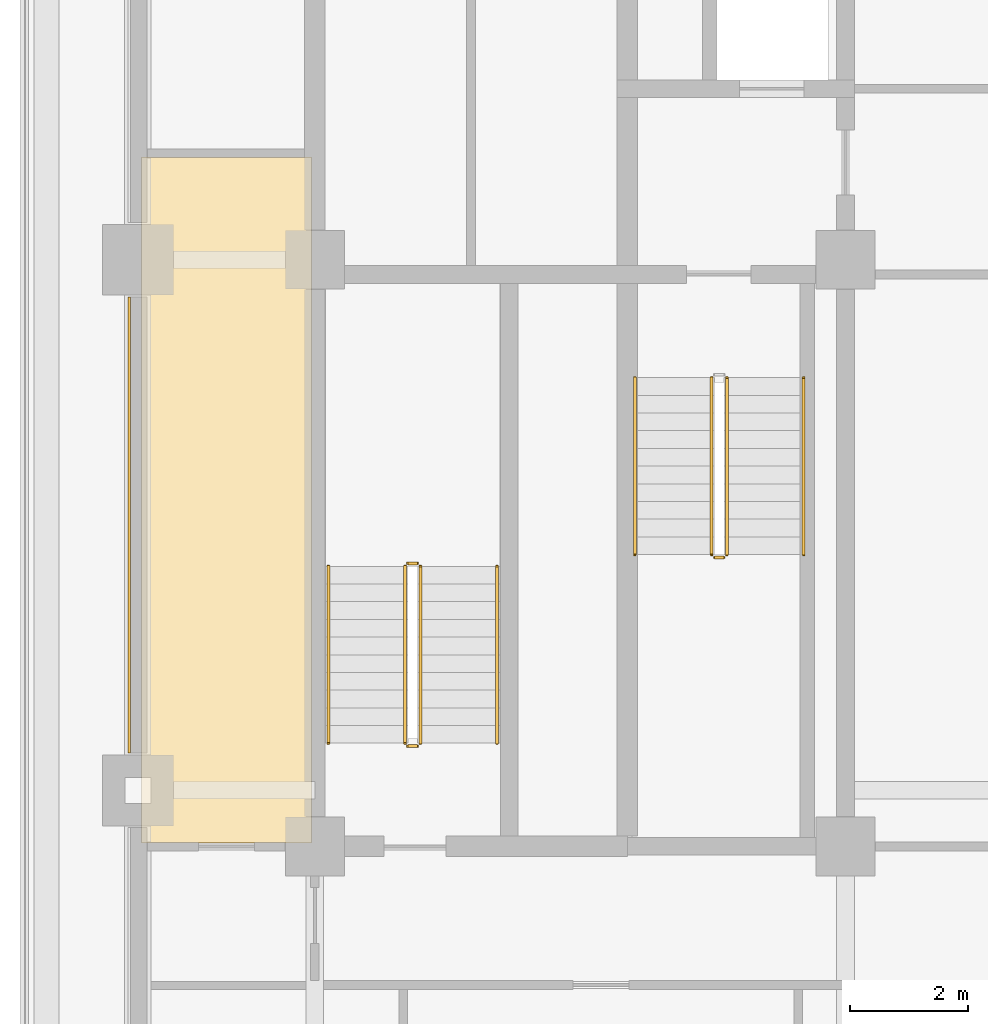
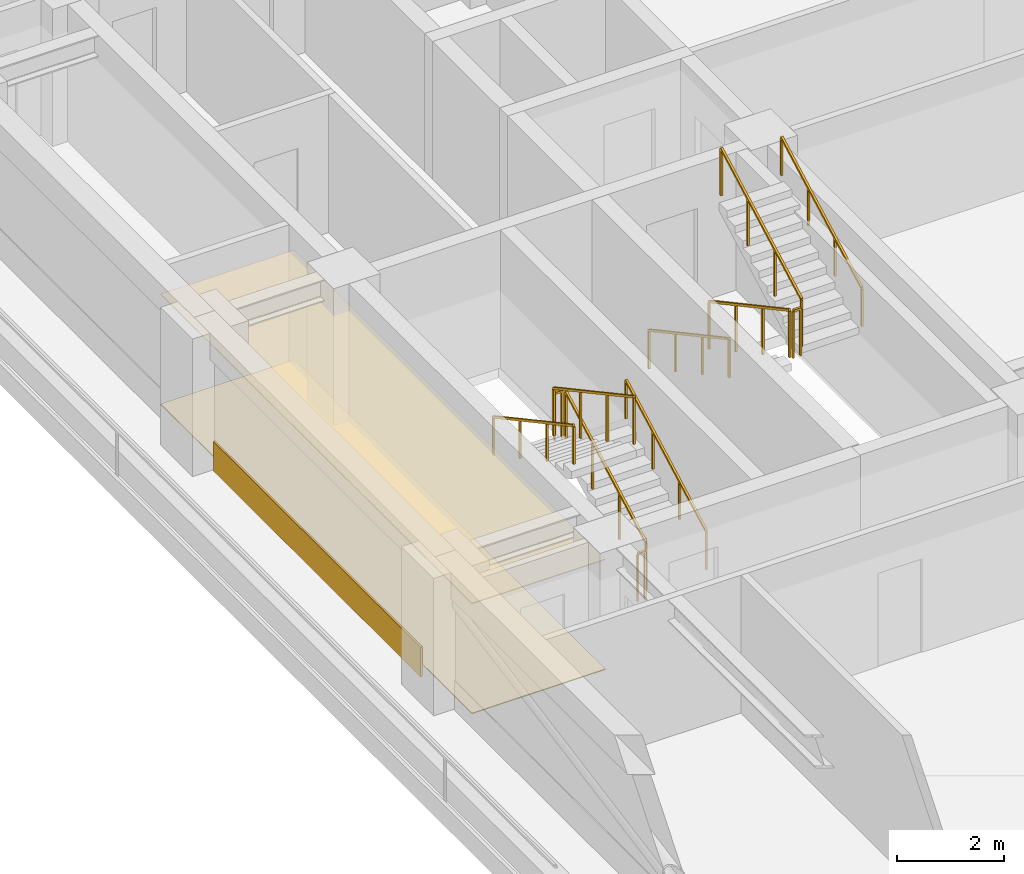
# One storey, part 8 of 13: 11 railings, 3 coverings.
"""IFC4 building model written with IfcOpenShell, lengths in metres."""

from ifc_helpers import new_model, si_unit, direction, frame, frame_2d, origin, origin_2d, place, context, subcontext, project, spatial, polyline, rectangle, outline, extrude, material, layer, layer_set, type_object, element, save


model = new_model("IFC4")

# Units and contexts
model_context = context("Model", 3, precision=1e-05, world=origin(), true_north=direction((0.0, 1.0)))
body_context = subcontext(model_context, "Body", "Model", "MODEL_VIEW")
ifc_project = project(units=[si_unit("LENGTHUNIT", "METRE"), si_unit("AREAUNIT", "SQUARE_METRE"), si_unit("VOLUMEUNIT", "CUBIC_METRE"), si_unit("PLANEANGLEUNIT", "RADIAN"), si_unit("MASSUNIT", "GRAM", prefix="KILO")], contexts=[model_context])

# Site, building, storey
site_placement = place(None, origin())
site = spatial("IfcSite", under=ifc_project, at=site_placement, CompositionType="ELEMENT")
building_placement = place(site_placement, origin())
building = spatial("IfcBuilding", under=site, at=building_placement, Name="Zulmaris Gate Convention Tower", CompositionType="ELEMENT")
storey_placement = place(building_placement, frame((0.0, 0.0, 112.780029296875)))
storey = spatial("IfcBuildingStorey", under=building, at=storey_placement, Name="L28", CompositionType="ELEMENT", Elevation=112.780029296875)

# Coverings
ifc_material_1 = material(Name="Precast concrete C40/50", Category="concrete")
ifc_layer_1 = layer(ifc_material_1, 0.0400390625, Name="Precast concrete C40/50")
ifc_layer_set_1 = layer_set([ifc_layer_1], Name="Precast concrete C40/50")
covering_type_1 = type_object("IfcCoveringType", Name="CLAD-SPANDREL-PRECAST", PredefinedType="CLADDING", material=ifc_layer_set_1)
covering_1_placement = place(storey_placement, frame((-23.14990234375, -0.6298828125, 0.0), z_axis=(0.0, 0.0, 1.0), x_axis=(0.0, -1.0, 0.0)))
element("IfcCovering", 1, at=covering_1_placement, inside=storey, type_object=covering_type_1, Name="CLD-L28-W-1_0", PredefinedType="CLADDING", context=body_context, shape_type="SweptSolid", body=[
    extrude(rectangle(XDim=7.740234375, YDim=0.0400390625, at=frame_2d((3.8701171875, 0.0))), origin(), (0.0, 0.0, 1.0), 0.679931640625),
])
ifc_material_2 = material(Name="Mineral Fibre Acoustic Ceiling Tile")
ifc_layer_2 = layer(ifc_material_2, 0.02001953125, Name="Mineral Fibre Acoustic Ceiling Tile")
ifc_layer_set_2 = layer_set([ifc_layer_2], Name="Mineral Fibre Acoustic Ceiling Tile")
covering_type_2 = type_object("IfcCoveringType", Name="CLG-ACOUSTIC-600", PredefinedType="CEILING", material=ifc_layer_set_2)
covering_2_placement = place(storey_placement, frame((0.0, 0.0, 2.5048828125)))
element("IfcCovering", 2, at=covering_2_placement, inside=storey, type_object=covering_type_2, Name="CLG-L28-R50", PredefinedType="CEILING", context=body_context, shape_type="SweptSolid", body=[
    extrude(outline(polyline([(-22.93994140625, -9.889892578125), (-20.06005859375, -9.889892578125), (-20.06005859375, 1.739990234375), (-22.93994140625, 1.739990234375), (-22.93994140625, -9.889892578125)])), origin(), (0.0, 0.0, 1.0), 0.02001953125),
])
ifc_material_3 = material(Name="Woven Acoustic Wool Carpet Tile")
ifc_layer_3 = layer(ifc_material_3, 0.02001953125, Name="Woven Acoustic Wool Carpet Tile")
ifc_layer_set_3 = layer_set([ifc_layer_3], Name="Woven Acoustic Wool Carpet Tile")
covering_type_3 = type_object("IfcCoveringType", Name="FLR-CARPET-12", PredefinedType="FLOORING", material=ifc_layer_set_3)
covering_3_placement = place(storey_placement, origin())
element("IfcCovering", 3, at=covering_3_placement, inside=storey, type_object=covering_type_3, Name="FLR-L28-R50", PredefinedType="FLOORING", context=body_context, shape_type="SweptSolid", body=[
    extrude(outline(polyline([(-22.93994140625, -9.889892578125), (-20.06005859375, -9.889892578125), (-20.06005859375, 1.739990234375), (-22.93994140625, 1.739990234375), (-22.93994140625, -9.889892578125)])), origin(), (0.0, 0.0, 1.0), 0.02001953125),
])

# Railings
ifc_material_4 = material(Name="Painted Galvanised Steel", Category="steel")
railing_type_1 = type_object("IfcRailingType", Name="RL-STG-1150", PredefinedType="GUARDRAIL", material=ifc_material_4)
railing_1_placement = place(storey_placement, frame((-13.27001953125, -2.0, 0.162353515625)))
element("IfcRailing", 4, at=railing_1_placement, inside=storey, type_object=railing_type_1, Name="L28 ST-1 stair guard 1", PredefinedType="GUARDRAIL", context=body_context, shape_type="SweptSolid", body=[
    extrude(rectangle(XDim=0.048095703125, YDim=0.048095703125, at=origin_2d()), frame((0.0, 0.0, 1.076171875), z_axis=(0.0, -0.879591569277, 0.475729619907), x_axis=(1.0, 0.0, 0.0)), (0.0, 0.0, 1.0), 3.41064453125),
    extrude(rectangle(XDim=0.0419921875, YDim=0.0419921875, at=origin_2d()), origin(), (0.0, 0.0, 1.0), 1.052001953125),
    extrude(rectangle(XDim=0.0419921875, YDim=0.0419921875, at=origin_2d()), frame((0.0, -1.0, 0.540771484375)), (0.0, 0.0, 1.0), 1.052001953125),
    extrude(rectangle(XDim=0.0419921875, YDim=0.0419921875, at=origin_2d()), frame((0.0, -2.0, 1.081787109375)), (0.0, 0.0, 1.0), 1.052001953125),
    extrude(rectangle(XDim=0.0419921875, YDim=0.0419921875, at=origin_2d()), frame((0.0, -3.0, 1.62255859375)), (0.0, 0.0, 1.0), 1.052001953125),
])
railing_2_placement = place(storey_placement, frame((-13.219970703125, -5.050048828125, 1.784912109375)))
element("IfcRailing", 5, at=railing_2_placement, inside=storey, type_object=railing_type_1, Name="L28 ST-1 stair guard 2", PredefinedType="GUARDRAIL", context=body_context, shape_type="SweptSolid", body=[
    extrude(rectangle(XDim=0.048095703125, YDim=0.048095703125, at=origin_2d()), frame((0.0, 0.0, 1.076171875), z_axis=(1.0, 0.0, 0.0), x_axis=(0.0, 1.0, 0.0)), (0.0, 0.0, 1.0), 0.159912109375),
    extrude(rectangle(XDim=0.0419921875, YDim=0.0419921875, at=origin_2d()), origin(), (0.0, 0.0, 1.0), 1.052001953125),
    extrude(rectangle(XDim=0.0419921875, YDim=0.0419921875, at=origin_2d()), frame((0.159912109375, 0.0, 0.0)), (0.0, 0.0, 1.0), 1.052001953125),
])
for number, where, name in (
    (6, (-13.010009765625, -5.0, 1.947265625), "L28 ST-1 stair guard 3"),
    (7, (-18.2099609375, -8.199951171875, 0.162353515625), "L28 ST-3 stair guard 1"),
):
    element("IfcRailing", number, at=place(storey_placement, frame(where)), inside=storey, type_object=railing_type_1, Name=name, PredefinedType="GUARDRAIL", context=body_context, shape_type="SweptSolid", body=[
        extrude(rectangle(XDim=0.048095703125, YDim=0.048095703125, at=origin_2d()), frame((0.0, 0.0, 1.076171875), z_axis=(0.0, 0.879591569277, 0.475729619907), x_axis=(-1.0, 0.0, 0.0)), (0.0, 0.0, 1.0), 3.41064453125),
        extrude(rectangle(XDim=0.0419921875, YDim=0.0419921875, at=origin_2d()), origin(), (0.0, 0.0, 1.0), 1.052001953125),
        extrude(rectangle(XDim=0.0419921875, YDim=0.0419921875, at=origin_2d()), frame((0.0, 1.0, 0.540771484375)), (0.0, 0.0, 1.0), 1.052001953125),
        extrude(rectangle(XDim=0.0419921875, YDim=0.0419921875, at=origin_2d()), frame((0.0, 2.0, 1.081787109375)), (0.0, 0.0, 1.0), 1.052001953125),
        extrude(rectangle(XDim=0.0419921875, YDim=0.0419921875, at=origin_2d()), frame((0.0, 3.0, 1.62255859375)), (0.0, 0.0, 1.0), 1.052001953125),
    ])
railing_3_placement = place(storey_placement, frame((-18.260009765625, -5.14990234375, 1.784912109375)))
element("IfcRailing", 8, at=railing_3_placement, inside=storey, type_object=railing_type_1, Name="L28 ST-3 stair guard 2", PredefinedType="GUARDRAIL", context=body_context, shape_type="SweptSolid", body=[
    extrude(rectangle(XDim=0.048095703125, YDim=0.048095703125, at=origin_2d()), frame((0.0, 0.0, 1.076171875), z_axis=(-1.0, 0.0, 0.0), x_axis=(0.0, -1.0, 0.0)), (0.0, 0.0, 1.0), 0.159912109375),
    extrude(rectangle(XDim=0.0419921875, YDim=0.0419921875, at=origin_2d()), origin(), (0.0, 0.0, 1.0), 1.052001953125),
    extrude(rectangle(XDim=0.0419921875, YDim=0.0419921875, at=origin_2d()), frame((-0.159912109375, 0.0, 0.0)), (0.0, 0.0, 1.0), 1.052001953125),
])
railing_4_placement = place(storey_placement, frame((-18.469970703125, -5.199951171875, 1.947265625)))
element("IfcRailing", 9, at=railing_4_placement, inside=storey, type_object=railing_type_1, Name="L28 ST-3 stair guard 3", PredefinedType="GUARDRAIL", context=body_context, shape_type="SweptSolid", body=[
    extrude(rectangle(XDim=0.048095703125, YDim=0.048095703125, at=origin_2d()), frame((0.0, 0.0, 1.076171875), z_axis=(0.0, -0.879591569277, 0.475729619907), x_axis=(1.0, 0.0, 0.0)), (0.0, 0.0, 1.0), 3.41064453125),
    extrude(rectangle(XDim=0.0419921875, YDim=0.0419921875, at=origin_2d()), origin(), (0.0, 0.0, 1.0), 1.052001953125),
    extrude(rectangle(XDim=0.0419921875, YDim=0.0419921875, at=origin_2d()), frame((0.0, -1.0, 0.540771484375)), (0.0, 0.0, 1.0), 1.052001953125),
    extrude(rectangle(XDim=0.0419921875, YDim=0.0419921875, at=origin_2d()), frame((0.0, -2.0, 1.081787109375)), (0.0, 0.0, 1.0), 1.052001953125),
    extrude(rectangle(XDim=0.0419921875, YDim=0.0419921875, at=origin_2d()), frame((0.0, -3.0, 1.62255859375)), (0.0, 0.0, 1.0), 1.052001953125),
])
railing_5_placement = place(storey_placement, frame((-18.260009765625, -8.25, 0.0)))
element("IfcRailing", 10, at=railing_5_placement, inside=storey, type_object=railing_type_1, Name="L28 ST-3 stair guard 4", PredefinedType="GUARDRAIL", context=body_context, shape_type="SweptSolid", body=[
    extrude(rectangle(XDim=0.048095703125, YDim=0.048095703125, at=origin_2d()), frame((0.0, 0.0, 1.076171875), z_axis=(-1.0, 0.0, 0.0), x_axis=(0.0, -1.0, 0.0)), (0.0, 0.0, 1.0), 0.159912109375),
    extrude(rectangle(XDim=0.0419921875, YDim=0.0419921875, at=origin_2d()), origin(), (0.0, 0.0, 1.0), 1.052001953125),
    extrude(rectangle(XDim=0.0419921875, YDim=0.0419921875, at=origin_2d()), frame((-0.159912109375, 0.0, 0.0)), (0.0, 0.0, 1.0), 1.052001953125),
])
ifc_material_5 = material(Name="Brushed Stainless Steel", Category="steel")
railing_type_2 = type_object("IfcRailingType", Name="RL-STH-900", PredefinedType="HANDRAIL", material=ifc_material_5)
railing_6_placement = place(storey_placement, frame((-14.570068359375, -2.0, 0.162353515625)))
element("IfcRailing", 11, at=railing_6_placement, inside=storey, type_object=railing_type_2, Name="L28 ST-1 stair handrail 1", PredefinedType="HANDRAIL", context=body_context, shape_type="SweptSolid", body=[
    extrude(rectangle(XDim=0.048095703125, YDim=0.048095703125, at=origin_2d()), frame((0.0, 0.0, 0.8759765625), z_axis=(0.0, -0.879591569277, 0.475729619907), x_axis=(1.0, 0.0, 0.0)), (0.0, 0.0, 1.0), 3.41064453125),
    extrude(rectangle(XDim=0.0419921875, YDim=0.0419921875, at=origin_2d()), origin(), (0.0, 0.0, 1.0), 0.851806640625),
    extrude(rectangle(XDim=0.0419921875, YDim=0.0419921875, at=origin_2d()), frame((0.0, -1.0, 0.540771484375)), (0.0, 0.0, 1.0), 0.851806640625),
    extrude(rectangle(XDim=0.0419921875, YDim=0.0419921875, at=origin_2d()), frame((0.0, -2.0, 1.081787109375)), (0.0, 0.0, 1.0), 0.851806640625),
    extrude(rectangle(XDim=0.0419921875, YDim=0.0419921875, at=origin_2d()), frame((0.0, -3.0, 1.62255859375)), (0.0, 0.0, 1.0), 0.851806640625),
])
for number, where, name in (
    (12, (-11.7099609375, -5.0, 1.947265625), "L28 ST-1 stair handrail 2"),
    (13, (-16.909912109375, -8.199951171875, 0.162353515625), "L28 ST-3 stair handrail 1"),
):
    element("IfcRailing", number, at=place(storey_placement, frame(where)), inside=storey, type_object=railing_type_2, Name=name, PredefinedType="HANDRAIL", context=body_context, shape_type="SweptSolid", body=[
        extrude(rectangle(XDim=0.048095703125, YDim=0.048095703125, at=origin_2d()), frame((0.0, 0.0, 0.8759765625), z_axis=(0.0, 0.879591569277, 0.475729619907), x_axis=(-1.0, 0.0, 0.0)), (0.0, 0.0, 1.0), 3.41064453125),
        extrude(rectangle(XDim=0.0419921875, YDim=0.0419921875, at=origin_2d()), origin(), (0.0, 0.0, 1.0), 0.851806640625),
        extrude(rectangle(XDim=0.0419921875, YDim=0.0419921875, at=origin_2d()), frame((0.0, 1.0, 0.540771484375)), (0.0, 0.0, 1.0), 0.851806640625),
        extrude(rectangle(XDim=0.0419921875, YDim=0.0419921875, at=origin_2d()), frame((0.0, 2.0, 1.081787109375)), (0.0, 0.0, 1.0), 0.851806640625),
        extrude(rectangle(XDim=0.0419921875, YDim=0.0419921875, at=origin_2d()), frame((0.0, 3.0, 1.62255859375)), (0.0, 0.0, 1.0), 0.851806640625),
    ])
railing_7_placement = place(storey_placement, frame((-19.77001953125, -5.199951171875, 1.947265625)))
element("IfcRailing", 14, at=railing_7_placement, inside=storey, type_object=railing_type_2, Name="L28 ST-3 stair handrail 2", PredefinedType="HANDRAIL", context=body_context, shape_type="SweptSolid", body=[
    extrude(rectangle(XDim=0.048095703125, YDim=0.048095703125, at=origin_2d()), frame((0.0, 0.0, 0.8759765625), z_axis=(0.0, -0.879591569277, 0.475729619907), x_axis=(1.0, 0.0, 0.0)), (0.0, 0.0, 1.0), 3.41064453125),
    extrude(rectangle(XDim=0.0419921875, YDim=0.0419921875, at=origin_2d()), origin(), (0.0, 0.0, 1.0), 0.851806640625),
    extrude(rectangle(XDim=0.0419921875, YDim=0.0419921875, at=origin_2d()), frame((0.0, -1.0, 0.540771484375)), (0.0, 0.0, 1.0), 0.851806640625),
    extrude(rectangle(XDim=0.0419921875, YDim=0.0419921875, at=origin_2d()), frame((0.0, -2.0, 1.081787109375)), (0.0, 0.0, 1.0), 0.851806640625),
    extrude(rectangle(XDim=0.0419921875, YDim=0.0419921875, at=origin_2d()), frame((0.0, -3.0, 1.62255859375)), (0.0, 0.0, 1.0), 0.851806640625),
])

save(model, "model.ifc")
